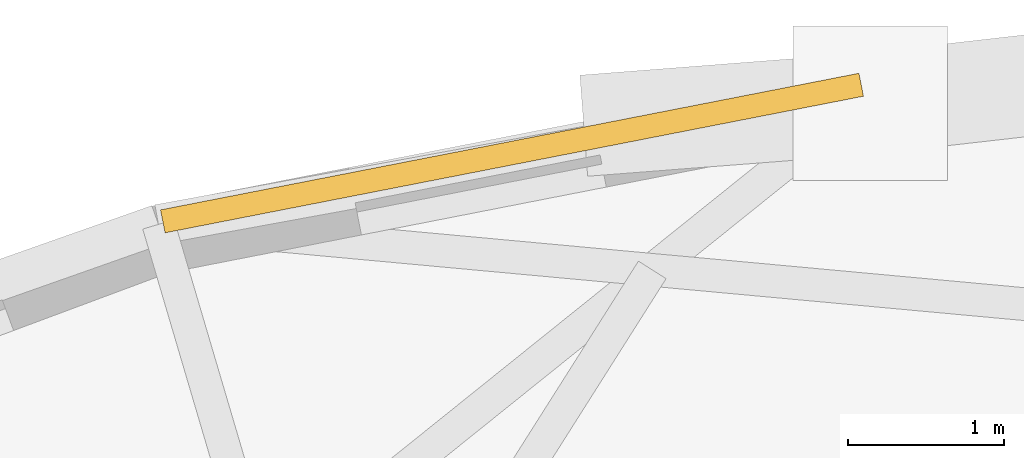
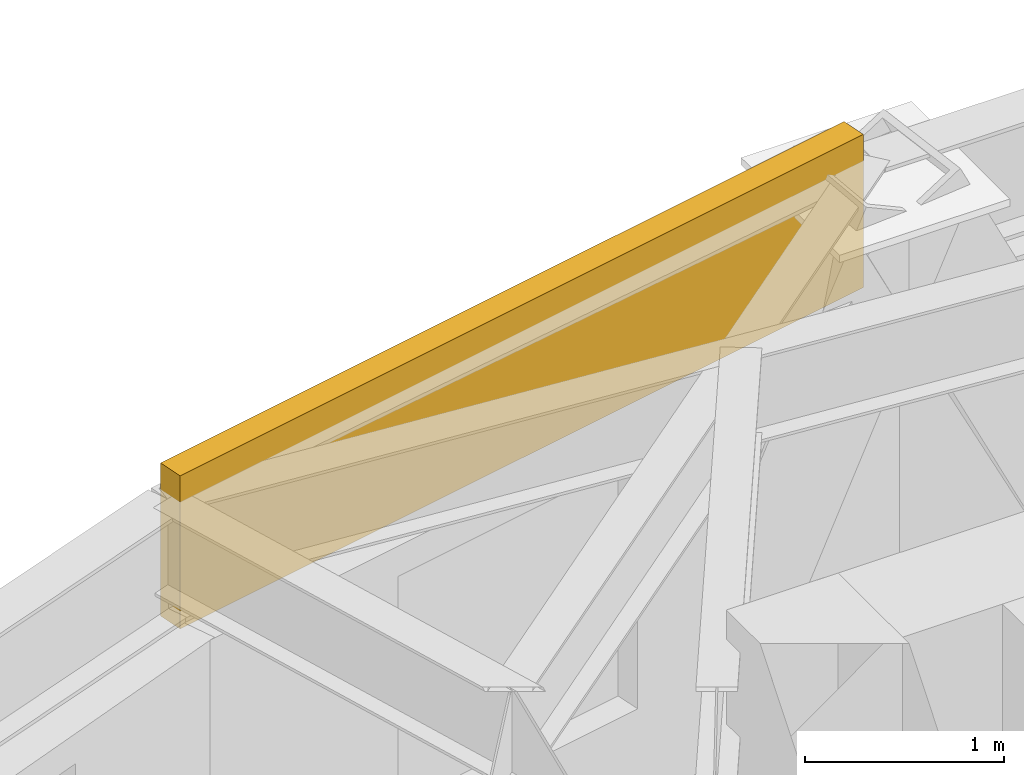
# One storey, part 14 of 14: 1 covering.
"""IFC4 building model written with IfcOpenShell, lengths in metres."""

from ifc_helpers import new_model, si_unit, direction, frame, origin, origin_2d, place, context, subcontext, project, spatial, rectangle, extrude, material, layer, layer_set, type_object, element, save


model = new_model("IFC4")

# Units and contexts
model_context = context("Model", 3, precision=1e-05, world=origin(), true_north=direction((0.0, 1.0)))
body_context = subcontext(model_context, "Body", "Model", "MODEL_VIEW")
ifc_project = project(units=[si_unit("LENGTHUNIT", "METRE"), si_unit("AREAUNIT", "SQUARE_METRE"), si_unit("VOLUMEUNIT", "CUBIC_METRE"), si_unit("PLANEANGLEUNIT", "RADIAN"), si_unit("MASSUNIT", "GRAM", prefix="KILO")], contexts=[model_context])

# Site, building, storey
site_placement = place(None, origin())
site = spatial("IfcSite", under=ifc_project, at=site_placement, CompositionType="ELEMENT")
building_placement = place(site_placement, origin())
building = spatial("IfcBuilding", under=site, at=building_placement, Name="Keldmark Tower", CompositionType="ELEMENT")
storey_placement = place(building_placement, frame((0.0, 0.0, 191.800048828125)))
storey = spatial("IfcBuildingStorey", under=building, at=storey_placement, Name="L53", CompositionType="ELEMENT", Elevation=191.800048828125)

# Covering
ifc_material = material(Name="Honed Kasota Buff Dolomitic Limestone", Category="masonry")
ifc_layer = layer(ifc_material, 0.074951171875)
ifc_layer_set = layer_set([ifc_layer], Name="Honed Kasota Buff Dolomitic Limestone")
covering_type = type_object("IfcCoveringType", Name="Kasota Buff Limestone Spandrel Cladding Band", PredefinedType="CLADDING", material=ifc_layer_set)
covering_placement = place(storey_placement, frame((-4.678955078125, 15.98046875, 2.239013671875), z_axis=(0.0, 0.0, 1.0), x_axis=(-0.981406736045, -0.191939621874, 0.0)))
element("IfcCovering", 1, at=covering_placement, inside=storey, type_object=covering_type, Name="L53 Kasota Limestone Spandrel Band 09", PredefinedType="CLADDING", context=body_context, shape_type="SweptSolid", body=[
    extrude(rectangle(XDim=4.56201171875, YDim=0.14990234375, at=origin_2d()), origin(), (0.0, 0.0, 1.0), 0.94091796875),
])

save(model, "model.ifc")
